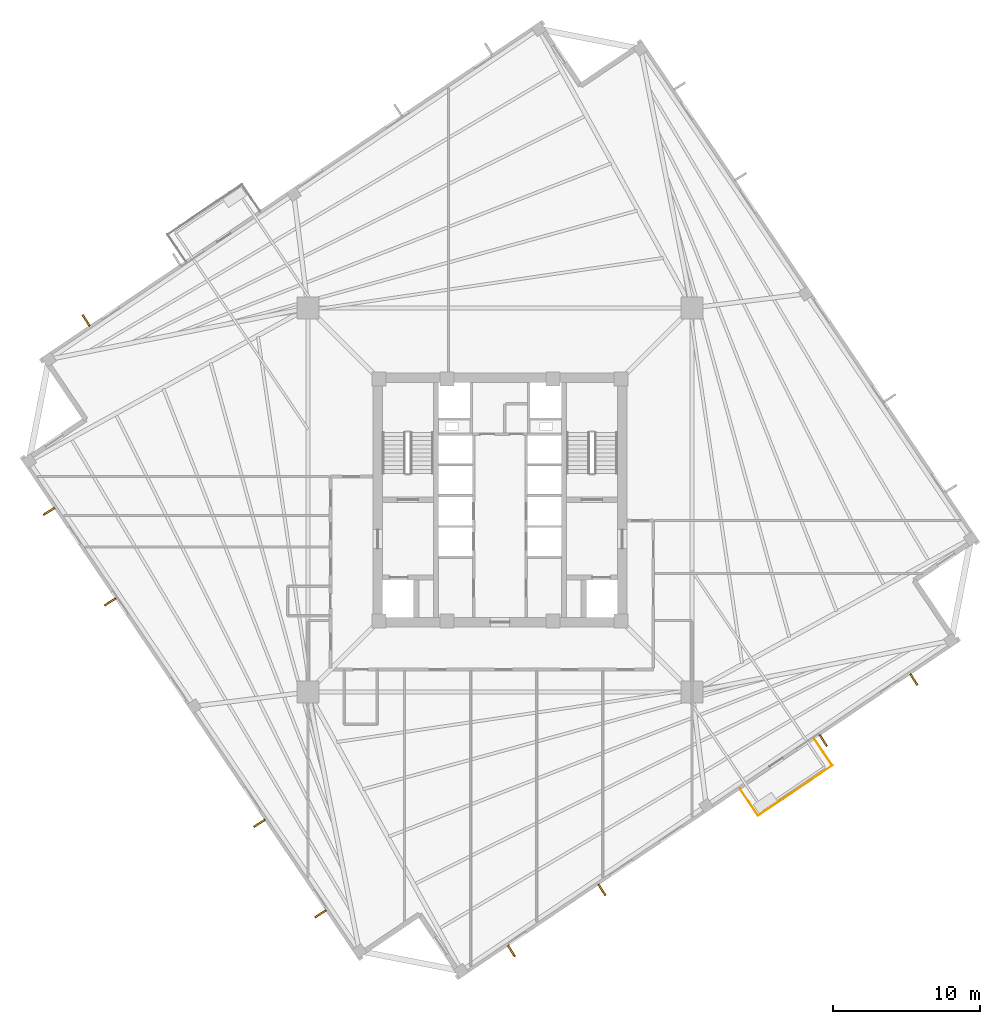
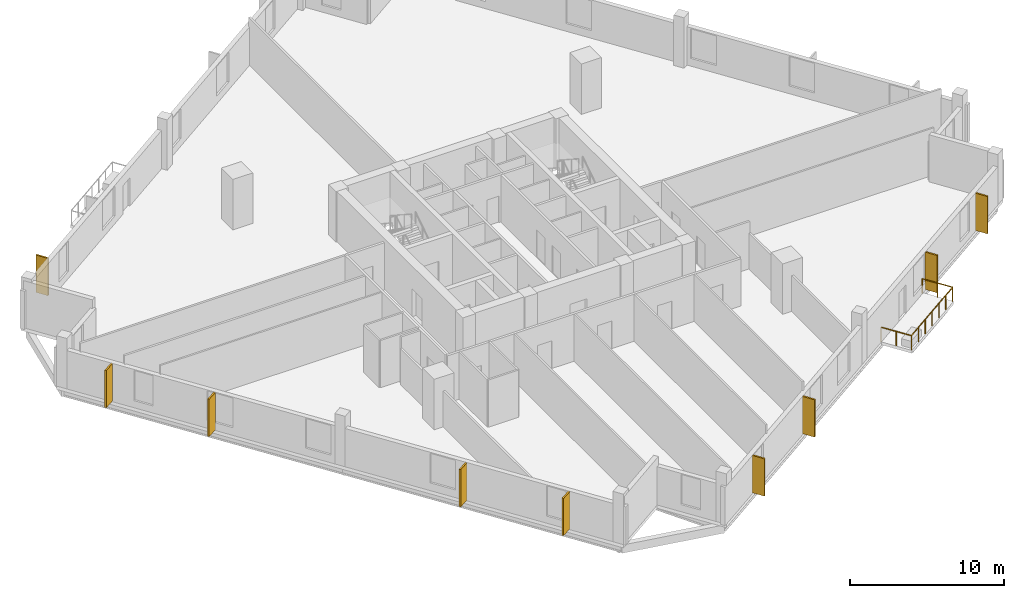
# One storey, part 7 of 9: 9 coverings, 3 railings.
"""IFC4 building model written with IfcOpenShell, lengths in metres."""

from ifc_helpers import new_model, si_unit, direction, frame, origin, origin_2d, place, context, subcontext, project, spatial, rectangle, circle, extrude, source, transform, mapped, material, layer, layer_set, type_object, element, save


model = new_model("IFC4")

# Units and contexts
model_context = context("Model", 3, precision=1e-05, world=origin(), true_north=direction((0.0, 1.0)))
body_context = subcontext(model_context, "Body", "Model", "MODEL_VIEW")
ifc_project = project(units=[si_unit("LENGTHUNIT", "METRE"), si_unit("AREAUNIT", "SQUARE_METRE"), si_unit("VOLUMEUNIT", "CUBIC_METRE"), si_unit("PLANEANGLEUNIT", "RADIAN"), si_unit("MASSUNIT", "GRAM", prefix="KILO"), si_unit("THERMODYNAMICTEMPERATUREUNIT", "KELVIN")], contexts=[model_context])

# Site, building, storey
site_placement = place(None, origin())
site = spatial("IfcSite", under=ifc_project, at=site_placement, CompositionType="ELEMENT")
building_placement = place(site_placement, origin())
building = spatial("IfcBuilding", under=site, at=building_placement, Name="Kosmvard Interchange Tower", CompositionType="ELEMENT")
storey_placement = place(building_placement, frame((0.0, 0.0, 160.39990234375)))
storey = spatial("IfcBuildingStorey", under=building, at=storey_placement, Name="L38", CompositionType="ELEMENT", Elevation=160.39990234375)

# Coverings
ifc_material_1 = material(Name="Architectural anodised aluminium", Category="aluminium")
ifc_layer = layer(ifc_material_1, 0.1201171875, Name="Architectural anodised aluminium")
ifc_layer_set = layer_set([ifc_layer], Name="Architectural anodised aluminium")
covering_type = type_object("IfcCoveringType", Name="Rotating Vertical Sun-Breaker Fin 900x120 Aluminium", PredefinedType="CLADDING", material=ifc_layer_set)
shared_shape_1 = source(origin(), body_context, "Body", "SweptSolid", [
    extrude(rectangle(XDim=0.89990234375, YDim=0.1201171875, at=origin_2d()), origin(), (0.0, 0.0, 1.0), 2.9599609375),
])
for number, where, z_axis, x_axis, name in (
    (1, (0.774169921875, -30.718994140625, 0.0400390625), (0.0, 0.0, 1.0), (0.542734751581, -0.839904154905, 0.0), "L38 Rotating Vertical Sun-Breaker Fin 01"),
    (2, (6.943115234375, -26.557861328125, 0.0400390625), (0.0, 0.0, 1.0), (0.542734751581, -0.839904154905, 0.0), "L38 Rotating Vertical Sun-Breaker Fin 02"),
    (3, (22.02294921875, -16.38623046875, 0.0400390625), (0.0, 0.0, 1.0), (0.542734751581, -0.839904154905, 0.0), "L38 Rotating Vertical Sun-Breaker Fin 03"),
    (4, (28.192138671875, -12.225341796875, 0.0400390625), (0.0, 0.0, 1.0), (0.542734751581, -0.839904154905, 0.0), "L38 Rotating Vertical Sun-Breaker Fin 04"),
    (5, (-28.192138671875, 12.225341796875, 0.0400390625), (0.0, 0.0, 1.0), (-0.542734751581, 0.839904154905, 0.0), "L38 Rotating Vertical Sun-Breaker Fin 12"),
    (6, (-30.718994140625, -0.774169921875, 0.0400390625), (0.0, 0.0, 1.0), (-0.839904154905, -0.542734751581, 0.0), "L38 Rotating Vertical Sun-Breaker Fin 13"),
    (7, (-26.557861328125, -6.943115234375, 0.0400390625), (0.0, 0.0, 1.0), (-0.839904154905, -0.542734751581, 0.0), "L38 Rotating Vertical Sun-Breaker Fin 14"),
    (8, (-16.38623046875, -22.02294921875, 0.0400390625), (0.0, 0.0, 1.0), (-0.839904154905, -0.542734751581, 0.0), "L38 Rotating Vertical Sun-Breaker Fin 15"),
    (9, (-12.225341796875, -28.192138671875, 0.0400390625), (0.0, 0.0, 1.0), (-0.839904154905, -0.542734751581, 0.0), "L38 Rotating Vertical Sun-Breaker Fin 16"),
):
    element("IfcCovering", number, at=place(storey_placement, frame(where, z_axis=z_axis, x_axis=x_axis)), inside=storey, type_object=covering_type, Name=name, PredefinedType="CLADDING", context=body_context, shape_type="MappedRepresentation", body=[
        mapped(shared_shape_1, transform((0.0, 0.0, 0.0), scale=1.0)),
    ])

# Railings
ifc_material_2 = material(Name="Steel S355", Category="steel")
railing_type = type_object("IfcRailingType", Name="Observation & Balcony Glass-Infill Balustrade 1150", PredefinedType="BALUSTRADE", material=ifc_material_2)
shared_shape_2 = source(origin(), body_context, "Body", "SweptSolid", [
    extrude(circle(Radius=0.02392578125, at=origin_2d()), frame((0.0, 0.0, 1.1259765625), z_axis=(0.559173597279, -0.829050594418, 0.0), x_axis=(0.829050594418, 0.559173597279, 0.0)), (0.0, 0.0, 1.0), 2.2001953125),
    extrude(circle(Radius=0.02099609375, at=origin_2d()), origin(), (0.0, 0.0, 1.0), 1.101806640625),
    extrude(circle(Radius=0.02099609375, at=origin_2d()), frame((0.615234375, -0.912109375, 0.0)), (0.0, 0.0, 1.0), 1.101806640625),
    extrude(circle(Radius=0.02099609375, at=origin_2d()), frame((1.230224609375, -1.823974609375, 0.0)), (0.0, 0.0, 1.0), 1.101806640625),
])
railing_1_placement = place(storey_placement, frame((16.345458984375, -19.673095703125, 0.0)))
element("IfcRailing", 10, at=railing_1_placement, inside=storey, type_object=railing_type, Name="L38 Outdoor Terrace Guard BAL-L38-SW-A", PredefinedType="BALUSTRADE", context=body_context, shape_type="MappedRepresentation", body=[
    mapped(shared_shape_2, transform((0.0, 0.0, 0.0), scale=1.0)),
])
shared_shape_3 = source(origin(), body_context, "Body", "SweptSolid", [
    extrude(circle(Radius=0.02392578125, at=origin_2d()), frame((0.0, 0.0, 1.1259765625), z_axis=(0.829033294248, 0.55919924627, 0.0), x_axis=(-0.55919924627, 0.829033294248, 0.0)), (0.0, 0.0, 1.0), 6.10009765625),
    extrude(circle(Radius=0.02099609375, at=origin_2d()), origin(), (0.0, 0.0, 1.0), 1.101806640625),
    extrude(circle(Radius=0.02099609375, at=origin_2d()), frame((0.8427734375, 0.568603515625, 0.0)), (0.0, 0.0, 1.0), 1.101806640625),
    extrude(circle(Radius=0.02099609375, at=origin_2d()), frame((1.685791015625, 1.136962890625, 0.0)), (0.0, 0.0, 1.0), 1.101806640625),
    extrude(circle(Radius=0.02099609375, at=origin_2d()), frame((2.528564453125, 1.70556640625, 0.0)), (0.0, 0.0, 1.0), 1.101806640625),
    extrude(circle(Radius=0.02099609375, at=origin_2d()), frame((3.371337890625, 2.274169921875, 0.0)), (0.0, 0.0, 1.0), 1.101806640625),
    extrude(circle(Radius=0.02099609375, at=origin_2d()), frame((4.21435546875, 2.842529296875, 0.0)), (0.0, 0.0, 1.0), 1.101806640625),
    extrude(circle(Radius=0.02099609375, at=origin_2d()), frame((5.05712890625, 3.4111328125, 0.0)), (0.0, 0.0, 1.0), 1.101806640625),
])
railing_2_placement = place(storey_placement, frame((17.57568359375, -21.4970703125, 0.0)))
element("IfcRailing", 11, at=railing_2_placement, inside=storey, type_object=railing_type, Name="L38 Outdoor Terrace Guard BAL-L38-SW-B", PredefinedType="BALUSTRADE", context=body_context, shape_type="MappedRepresentation", body=[
    mapped(shared_shape_3, transform((0.0, 0.0, 0.0), scale=1.0)),
])
shared_shape_4 = source(origin(), body_context, "Body", "SweptSolid", [
    extrude(circle(Radius=0.02392578125, at=origin_2d()), frame((0.0, 0.0, 1.1259765625), z_axis=(-0.559173597279, 0.829050594418, 0.0), x_axis=(-0.829050594418, -0.559173597279, 0.0)), (0.0, 0.0, 1.0), 2.2001953125),
    extrude(circle(Radius=0.02099609375, at=origin_2d()), origin(), (0.0, 0.0, 1.0), 1.101806640625),
    extrude(circle(Radius=0.02099609375, at=origin_2d()), frame((-0.615234375, 0.912109375, 0.0)), (0.0, 0.0, 1.0), 1.101806640625),
    extrude(circle(Radius=0.02099609375, at=origin_2d()), frame((-1.230224609375, 1.823974609375, 0.0)), (0.0, 0.0, 1.0), 1.101806640625),
])
railing_3_placement = place(storey_placement, frame((22.6328125, -18.0859375, 0.0)))
element("IfcRailing", 12, at=railing_3_placement, inside=storey, type_object=railing_type, Name="L38 Outdoor Terrace Guard BAL-L38-SW-C", PredefinedType="BALUSTRADE", context=body_context, shape_type="MappedRepresentation", body=[
    mapped(shared_shape_4, transform((0.0, 0.0, 0.0), scale=1.0)),
])

save(model, "model.ifc")
